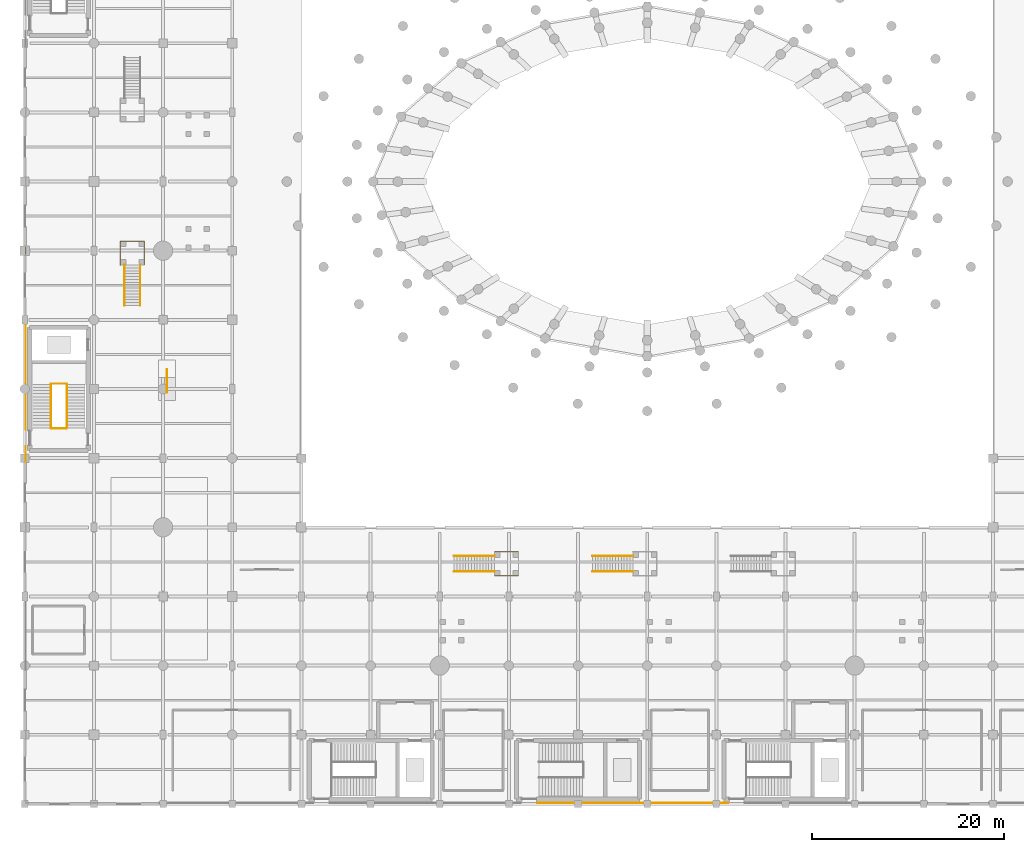
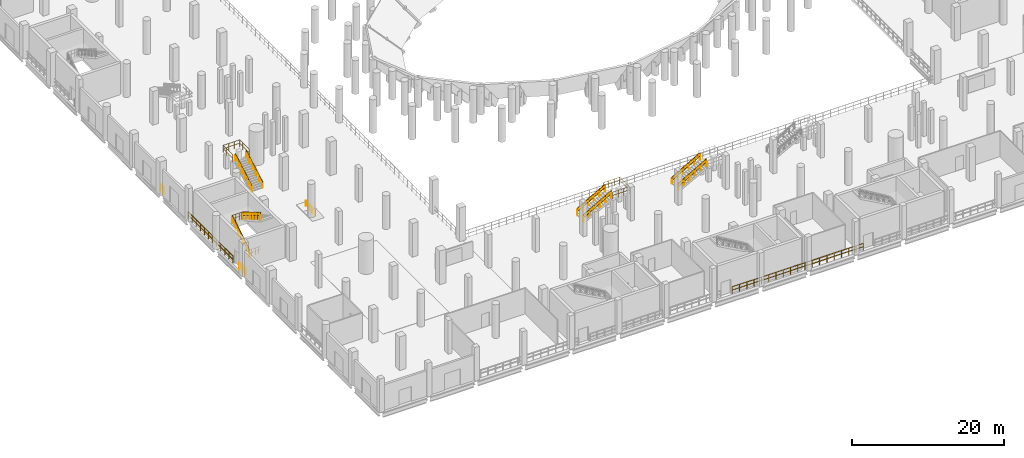
# One storey, part 46 of 58: 25 railings.
"""IFC4 building model written with IfcOpenShell, lengths in metres."""

from ifc_helpers import new_model, si_unit, direction, frame, origin, origin_2d, place, context, subcontext, project, spatial, circle, extrude, material, type_object, element, save


model = new_model("IFC4")

# Units and contexts
model_context = context("Model", 3, precision=1e-05, world=origin(), true_north=direction((0.0, 1.0)))
body_context = subcontext(model_context, "Body", "Model", "MODEL_VIEW")
ifc_project = project(units=[si_unit("LENGTHUNIT", "METRE"), si_unit("AREAUNIT", "SQUARE_METRE"), si_unit("VOLUMEUNIT", "CUBIC_METRE"), si_unit("PLANEANGLEUNIT", "RADIAN"), si_unit("MASSUNIT", "GRAM", prefix="KILO")], contexts=[model_context])

# Site, building, storey
site_placement = place(None, origin())
site = spatial("IfcSite", under=ifc_project, at=site_placement, CompositionType="ELEMENT")
building_placement = place(site_placement, origin())
building = spatial("IfcBuilding", under=site, at=building_placement, Name="Qandorah Velis Arena", CompositionType="ELEMENT")
storey_placement = place(building_placement, origin())
storey = spatial("IfcBuildingStorey", under=building, at=storey_placement, Name="L00", CompositionType="ELEMENT", Elevation=0.0)

# Railings
ifc_material = material(Name="Stainless steel 316", Category="steel")
railing_type_1 = type_object("IfcRailingType", Name="ARC-RL-GRD1150", PredefinedType="GUARDRAIL", material=ifc_material)
for number, where, name in (
    (1, (2.739990234375, 39.110107421875, 0.0), "Stair ST5 landing well-slot guardrail L00"),
    (2, (2.739990234375, 43.74609375, 2.699951171875), "Stair ST5 well guardrail (L00)"),
):
    element("IfcRailing", number, at=place(storey_placement, frame(where)), inside=storey, type_object=railing_type_1, Name=name, PredefinedType="GUARDRAIL", context=body_context, shape_type="SweptSolid", body=[
        extrude(circle(Radius=0.02392578125, at=origin_2d()), frame((0.0, 0.0, 1.1259765625), z_axis=(1.0, 0.0, 0.0), x_axis=(0.0, 1.0, 0.0)), (0.0, 0.0, 1.0), 1.6201171875),
        extrude(circle(Radius=0.02392578125, at=origin_2d()), frame((0.0, 0.0, 0.597900390625), z_axis=(1.0, 0.0, 0.0), x_axis=(0.0, 1.0, 0.0)), (0.0, 0.0, 1.0), 1.6201171875),
        extrude(circle(Radius=0.02099609375, at=origin_2d()), origin(), (0.0, 0.0, 1.0), 1.101806640625),
        extrude(circle(Radius=0.02099609375, at=origin_2d()), frame((0.27001953125, 0.0, 0.0)), (0.0, 0.0, 1.0), 1.101806640625),
        extrude(circle(Radius=0.02099609375, at=origin_2d()), frame((0.5400390625, 0.0, 0.0)), (0.0, 0.0, 1.0), 1.101806640625),
        extrude(circle(Radius=0.02099609375, at=origin_2d()), frame((0.81005859375, 0.0, 0.0)), (0.0, 0.0, 1.0), 1.101806640625),
        extrude(circle(Radius=0.02099609375, at=origin_2d()), frame((1.080078125, 0.0, 0.0)), (0.0, 0.0, 1.0), 1.101806640625),
        extrude(circle(Radius=0.02099609375, at=origin_2d()), frame((1.35009765625, 0.0, 0.0)), (0.0, 0.0, 1.0), 1.101806640625),
        extrude(circle(Radius=0.02099609375, at=origin_2d()), frame((1.6201171875, 0.0, 0.0)), (0.0, 0.0, 1.0), 1.101806640625),
    ])
railing_1_placement = place(storey_placement, frame((2.72998046875, 39.14990234375, 0.0)))
element("IfcRailing", 3, at=railing_1_placement, inside=storey, type_object=railing_type_1, Name="Stair ST5 inner flight 1 guardrail (L00)", PredefinedType="GUARDRAIL", context=body_context, shape_type="SweptSolid", body=[
    extrude(circle(Radius=0.02392578125, at=origin_2d()), frame((0.0, 0.0, 1.1259765625), z_axis=(0.0, 0.859303531718, 0.511465971866), x_axis=(-1.0, 0.0, 0.0)), (0.0, 0.0, 1.0), 5.27880859375),
    extrude(circle(Radius=0.02392578125, at=origin_2d()), frame((0.0, 0.0, 0.597900390625), z_axis=(0.0, 0.859303531718, 0.511465971866), x_axis=(-1.0, 0.0, 0.0)), (0.0, 0.0, 1.0), 5.27880859375),
    extrude(circle(Radius=0.02099609375, at=origin_2d()), origin(), (0.0, 0.0, 1.0), 1.101806640625),
    extrude(circle(Radius=0.02099609375, at=origin_2d()), frame((0.0, 0.756103515625, 0.449951171875)), (0.0, 0.0, 1.0), 1.101806640625),
    extrude(circle(Radius=0.02099609375, at=origin_2d()), frame((0.0, 1.511962890625, 0.89990234375)), (0.0, 0.0, 1.0), 1.101806640625),
    extrude(circle(Radius=0.02099609375, at=origin_2d()), frame((0.0, 2.26806640625, 1.35009765625)), (0.0, 0.0, 1.0), 1.101806640625),
    extrude(circle(Radius=0.02099609375, at=origin_2d()), frame((0.0, 3.024169921875, 1.800048828125)), (0.0, 0.0, 1.0), 1.101806640625),
    extrude(circle(Radius=0.02099609375, at=origin_2d()), frame((0.0, 3.780029296875, 2.25)), (0.0, 0.0, 1.0), 1.101806640625),
    extrude(circle(Radius=0.02099609375, at=origin_2d()), frame((0.0, 4.5361328125, 2.699951171875)), (0.0, 0.0, 1.0), 1.101806640625),
])
railing_2_placement = place(storey_placement, frame((4.3701171875, 43.68603515625, 2.699951171875)))
element("IfcRailing", 4, at=railing_2_placement, inside=storey, type_object=railing_type_1, Name="Stair ST5 inner flight 2 guardrail (L00)", PredefinedType="GUARDRAIL", context=body_context, shape_type="SweptSolid", body=[
    extrude(circle(Radius=0.02392578125, at=origin_2d()), frame((0.0, 0.0, 1.1259765625), z_axis=(0.0, -0.859303531718, 0.511465971866), x_axis=(1.0, 0.0, 0.0)), (0.0, 0.0, 1.0), 5.27880859375),
    extrude(circle(Radius=0.02392578125, at=origin_2d()), frame((0.0, 0.0, 0.597900390625), z_axis=(0.0, -0.859303531718, 0.511465971866), x_axis=(1.0, 0.0, 0.0)), (0.0, 0.0, 1.0), 5.27880859375),
    extrude(circle(Radius=0.02099609375, at=origin_2d()), origin(), (0.0, 0.0, 1.0), 1.101806640625),
    extrude(circle(Radius=0.02099609375, at=origin_2d()), frame((0.0, -0.756103515625, 0.449951171875)), (0.0, 0.0, 1.0), 1.101806640625),
    extrude(circle(Radius=0.02099609375, at=origin_2d()), frame((0.0, -1.511962890625, 0.89990234375)), (0.0, 0.0, 1.0), 1.101806640625),
    extrude(circle(Radius=0.02099609375, at=origin_2d()), frame((0.0, -2.26806640625, 1.35009765625)), (0.0, 0.0, 1.0), 1.101806640625),
    extrude(circle(Radius=0.02099609375, at=origin_2d()), frame((0.0, -3.024169921875, 1.800048828125)), (0.0, 0.0, 1.0), 1.101806640625),
    extrude(circle(Radius=0.02099609375, at=origin_2d()), frame((0.0, -3.780029296875, 2.25)), (0.0, 0.0, 1.0), 1.101806640625),
    extrude(circle(Radius=0.02099609375, at=origin_2d()), frame((0.0, -4.5361328125, 2.699951171875)), (0.0, 0.0, 1.0), 1.101806640625),
])
for number, where, name in (
    (5, (44.699951171875, 25.820068359375, 0.0), "Vomitory VS1 left guard (L00)"),
    (6, (44.699951171875, 24.179931640625, 0.0), "Vomitory VS1 right guard (L00)"),
):
    element("IfcRailing", number, at=place(storey_placement, frame(where)), inside=storey, type_object=railing_type_1, Name=name, PredefinedType="GUARDRAIL", context=body_context, shape_type="SweptSolid", body=[
        extrude(circle(Radius=0.02392578125, at=origin_2d()), frame((0.0, 0.0, 1.1259765625), z_axis=(0.868249353848, 0.0, 0.496128067682), x_axis=(0.0, 1.0, 0.0)), (0.0, 0.0, 1.0), 4.837158203125),
        extrude(circle(Radius=0.02392578125, at=origin_2d()), frame((0.0, 0.0, 0.597900390625), z_axis=(0.868249353848, 0.0, 0.496128067682), x_axis=(0.0, 1.0, 0.0)), (0.0, 0.0, 1.0), 4.837158203125),
        extrude(circle(Radius=0.02099609375, at=origin_2d()), origin(), (0.0, 0.0, 1.0), 1.101806640625),
        extrude(circle(Radius=0.02099609375, at=origin_2d()), frame((0.840087890625, 0.0, 0.47998046875)), (0.0, 0.0, 1.0), 1.101806640625),
        extrude(circle(Radius=0.02099609375, at=origin_2d()), frame((1.679931640625, 0.0, 0.9599609375)), (0.0, 0.0, 1.0), 1.101806640625),
        extrude(circle(Radius=0.02099609375, at=origin_2d()), frame((2.52001953125, 0.0, 1.43994140625)), (0.0, 0.0, 1.0), 1.101806640625),
        extrude(circle(Radius=0.02099609375, at=origin_2d()), frame((3.35986328125, 0.0, 1.919921875)), (0.0, 0.0, 1.0), 1.101806640625),
        extrude(circle(Radius=0.02099609375, at=origin_2d()), frame((4.199951171875, 0.0, 2.39990234375)), (0.0, 0.0, 1.0), 1.101806640625),
    ])
railing_3_placement = place(storey_placement, frame((48.89990234375, 23.75, 2.39990234375)))
element("IfcRailing", 7, at=railing_3_placement, inside=storey, type_object=railing_type_1, Name="Vomitory VS1 landing guardrail (L00)", PredefinedType="GUARDRAIL", context=body_context, shape_type="SweptSolid", body=[
    extrude(circle(Radius=0.02392578125, at=origin_2d()), frame((0.0, 0.0, 1.1259765625), z_axis=(1.0, 0.0, 0.0), x_axis=(0.0, 1.0, 0.0)), (0.0, 0.0, 1.0), 2.5),
    extrude(circle(Radius=0.02392578125, at=origin_2d()), frame((0.0, 0.0, 0.597900390625), z_axis=(1.0, 0.0, 0.0), x_axis=(0.0, 1.0, 0.0)), (0.0, 0.0, 1.0), 2.5),
    extrude(circle(Radius=0.02392578125, at=origin_2d()), frame((2.5, 0.0, 1.1259765625), z_axis=(0.0, 1.0, 0.0), x_axis=(-1.0, 0.0, 0.0)), (0.0, 0.0, 1.0), 2.5),
    extrude(circle(Radius=0.02392578125, at=origin_2d()), frame((2.5, 0.0, 0.597900390625), z_axis=(0.0, 1.0, 0.0), x_axis=(-1.0, 0.0, 0.0)), (0.0, 0.0, 1.0), 2.5),
    extrude(circle(Radius=0.02392578125, at=origin_2d()), frame((2.5, 2.5, 1.1259765625), z_axis=(-1.0, 0.0, 0.0), x_axis=(0.0, -1.0, 0.0)), (0.0, 0.0, 1.0), 2.5),
    extrude(circle(Radius=0.02392578125, at=origin_2d()), frame((2.5, 2.5, 0.597900390625), z_axis=(-1.0, 0.0, 0.0), x_axis=(0.0, -1.0, 0.0)), (0.0, 0.0, 1.0), 2.5),
    extrude(circle(Radius=0.02099609375, at=origin_2d()), origin(), (0.0, 0.0, 1.0), 1.101806640625),
    extrude(circle(Radius=0.02099609375, at=origin_2d()), frame((0.833251953125, 0.0, 0.0)), (0.0, 0.0, 1.0), 1.101806640625),
    extrude(circle(Radius=0.02099609375, at=origin_2d()), frame((1.666748046875, 0.0, 0.0)), (0.0, 0.0, 1.0), 1.101806640625),
    extrude(circle(Radius=0.02099609375, at=origin_2d()), frame((2.5, 0.0, 0.0)), (0.0, 0.0, 1.0), 1.101806640625),
    extrude(circle(Radius=0.02099609375, at=origin_2d()), frame((2.5, 0.833251953125, 0.0)), (0.0, 0.0, 1.0), 1.101806640625),
    extrude(circle(Radius=0.02099609375, at=origin_2d()), frame((2.5, 1.666748046875, 0.0)), (0.0, 0.0, 1.0), 1.101806640625),
    extrude(circle(Radius=0.02099609375, at=origin_2d()), frame((2.5, 2.5, 0.0)), (0.0, 0.0, 1.0), 1.101806640625),
    extrude(circle(Radius=0.02099609375, at=origin_2d()), frame((1.666748046875, 2.5, 0.0)), (0.0, 0.0, 1.0), 1.101806640625),
    extrude(circle(Radius=0.02099609375, at=origin_2d()), frame((0.833251953125, 2.5, 0.0)), (0.0, 0.0, 1.0), 1.101806640625),
    extrude(circle(Radius=0.02099609375, at=origin_2d()), frame((0.0, 2.5, 0.0)), (0.0, 0.0, 1.0), 1.101806640625),
])
for number, where, name in (
    (8, (59.10009765625, 25.820068359375, 0.0), "Vomitory VS2 left guard (L00)"),
    (9, (59.10009765625, 24.179931640625, 0.0), "Vomitory VS2 right guard (L00)"),
):
    element("IfcRailing", number, at=place(storey_placement, frame(where)), inside=storey, type_object=railing_type_1, Name=name, PredefinedType="GUARDRAIL", context=body_context, shape_type="SweptSolid", body=[
        extrude(circle(Radius=0.02392578125, at=origin_2d()), frame((0.0, 0.0, 1.1259765625), z_axis=(0.868249353848, 0.0, 0.496128067682), x_axis=(0.0, 1.0, 0.0)), (0.0, 0.0, 1.0), 4.837158203125),
        extrude(circle(Radius=0.02392578125, at=origin_2d()), frame((0.0, 0.0, 0.597900390625), z_axis=(0.868249353848, 0.0, 0.496128067682), x_axis=(0.0, 1.0, 0.0)), (0.0, 0.0, 1.0), 4.837158203125),
        extrude(circle(Radius=0.02099609375, at=origin_2d()), origin(), (0.0, 0.0, 1.0), 1.101806640625),
        extrude(circle(Radius=0.02099609375, at=origin_2d()), frame((0.840087890625, 0.0, 0.47998046875)), (0.0, 0.0, 1.0), 1.101806640625),
        extrude(circle(Radius=0.02099609375, at=origin_2d()), frame((1.679931640625, 0.0, 0.9599609375)), (0.0, 0.0, 1.0), 1.101806640625),
        extrude(circle(Radius=0.02099609375, at=origin_2d()), frame((2.52001953125, 0.0, 1.43994140625)), (0.0, 0.0, 1.0), 1.101806640625),
        extrude(circle(Radius=0.02099609375, at=origin_2d()), frame((3.35986328125, 0.0, 1.919921875)), (0.0, 0.0, 1.0), 1.101806640625),
        extrude(circle(Radius=0.02099609375, at=origin_2d()), frame((4.199951171875, 0.0, 2.39990234375)), (0.0, 0.0, 1.0), 1.101806640625),
    ])
for number, where, name in (
    (10, (10.3798828125, 51.89990234375, 0.0), "Vomitory VS7 left guard (L00)"),
    (11, (12.02001953125, 51.89990234375, 0.0), "Vomitory VS7 right guard (L00)"),
):
    element("IfcRailing", number, at=place(storey_placement, frame(where)), inside=storey, type_object=railing_type_1, Name=name, PredefinedType="GUARDRAIL", context=body_context, shape_type="SweptSolid", body=[
        extrude(circle(Radius=0.02392578125, at=origin_2d()), frame((0.0, 0.0, 1.1259765625), z_axis=(0.0, 0.868261776072, 0.496106327528), x_axis=(-1.0, 0.0, 0.0)), (0.0, 0.0, 1.0), 4.83740234375),
        extrude(circle(Radius=0.02392578125, at=origin_2d()), frame((0.0, 0.0, 0.597900390625), z_axis=(0.0, 0.868261776072, 0.496106327528), x_axis=(-1.0, 0.0, 0.0)), (0.0, 0.0, 1.0), 4.83740234375),
        extrude(circle(Radius=0.02099609375, at=origin_2d()), origin(), (0.0, 0.0, 1.0), 1.101806640625),
        extrude(circle(Radius=0.02099609375, at=origin_2d()), frame((0.0, 0.840087890625, 0.47998046875)), (0.0, 0.0, 1.0), 1.101806640625),
        extrude(circle(Radius=0.02099609375, at=origin_2d()), frame((0.0, 1.68017578125, 0.9599609375)), (0.0, 0.0, 1.0), 1.101806640625),
        extrude(circle(Radius=0.02099609375, at=origin_2d()), frame((0.0, 2.52001953125, 1.43994140625)), (0.0, 0.0, 1.0), 1.101806640625),
        extrude(circle(Radius=0.02099609375, at=origin_2d()), frame((0.0, 3.360107421875, 1.919921875)), (0.0, 0.0, 1.0), 1.101806640625),
        extrude(circle(Radius=0.02099609375, at=origin_2d()), frame((0.0, 4.2001953125, 2.39990234375)), (0.0, 0.0, 1.0), 1.101806640625),
    ])
railing_4_placement = place(storey_placement, frame((9.949951171875, 56.10009765625, 2.39990234375)))
element("IfcRailing", 12, at=railing_4_placement, inside=storey, type_object=railing_type_1, Name="Vomitory VS7 landing guardrail (L00)", PredefinedType="GUARDRAIL", context=body_context, shape_type="SweptSolid", body=[
    extrude(circle(Radius=0.02392578125, at=origin_2d()), frame((0.0, 0.0, 1.1259765625), z_axis=(0.0, 1.0, 0.0), x_axis=(-1.0, 0.0, 0.0)), (0.0, 0.0, 1.0), 2.5),
    extrude(circle(Radius=0.02392578125, at=origin_2d()), frame((0.0, 0.0, 0.597900390625), z_axis=(0.0, 1.0, 0.0), x_axis=(-1.0, 0.0, 0.0)), (0.0, 0.0, 1.0), 2.5),
    extrude(circle(Radius=0.02392578125, at=origin_2d()), frame((0.0, 2.5, 1.1259765625), z_axis=(1.0, 0.0, 0.0), x_axis=(0.0, 1.0, 0.0)), (0.0, 0.0, 1.0), 2.5),
    extrude(circle(Radius=0.02392578125, at=origin_2d()), frame((0.0, 2.5, 0.597900390625), z_axis=(1.0, 0.0, 0.0), x_axis=(0.0, 1.0, 0.0)), (0.0, 0.0, 1.0), 2.5),
    extrude(circle(Radius=0.02392578125, at=origin_2d()), frame((2.5, 2.5, 1.1259765625), z_axis=(0.0, -1.0, 0.0), x_axis=(1.0, 0.0, 0.0)), (0.0, 0.0, 1.0), 2.5),
    extrude(circle(Radius=0.02392578125, at=origin_2d()), frame((2.5, 2.5, 0.597900390625), z_axis=(0.0, -1.0, 0.0), x_axis=(1.0, 0.0, 0.0)), (0.0, 0.0, 1.0), 2.5),
    extrude(circle(Radius=0.02099609375, at=origin_2d()), origin(), (0.0, 0.0, 1.0), 1.101806640625),
    extrude(circle(Radius=0.02099609375, at=origin_2d()), frame((0.0, 0.833251953125, 0.0)), (0.0, 0.0, 1.0), 1.101806640625),
    extrude(circle(Radius=0.02099609375, at=origin_2d()), frame((0.0, 1.666748046875, 0.0)), (0.0, 0.0, 1.0), 1.101806640625),
    extrude(circle(Radius=0.02099609375, at=origin_2d()), frame((0.0, 2.5, 0.0)), (0.0, 0.0, 1.0), 1.101806640625),
    extrude(circle(Radius=0.02099609375, at=origin_2d()), frame((0.833251953125, 2.5, 0.0)), (0.0, 0.0, 1.0), 1.101806640625),
    extrude(circle(Radius=0.02099609375, at=origin_2d()), frame((1.666748046875, 2.5, 0.0)), (0.0, 0.0, 1.0), 1.101806640625),
    extrude(circle(Radius=0.02099609375, at=origin_2d()), frame((2.5, 2.5, 0.0)), (0.0, 0.0, 1.0), 1.101806640625),
    extrude(circle(Radius=0.02099609375, at=origin_2d()), frame((2.5, 1.666748046875, 0.0)), (0.0, 0.0, 1.0), 1.101806640625),
    extrude(circle(Radius=0.02099609375, at=origin_2d()), frame((2.5, 0.833251953125, 0.0)), (0.0, 0.0, 1.0), 1.101806640625),
    extrude(circle(Radius=0.02099609375, at=origin_2d()), frame((2.5, 0.0, 0.0)), (0.0, 0.0, 1.0), 1.101806640625),
])
railing_5_placement = place(storey_placement, frame((73.22998046875, 0.10009765625, 0.0)))
element("IfcRailing", 13, at=railing_5_placement, inside=storey, type_object=railing_type_1, Name="Slab edge safety guardrail L00-022", PredefinedType="GUARDRAIL", context=body_context, shape_type="SweptSolid", body=[
    extrude(circle(Radius=0.02392578125, at=origin_2d()), frame((0.0, 0.0, 1.1259765625), z_axis=(-1.0, 0.0, 0.0), x_axis=(0.0, -1.0, 0.0)), (0.0, 0.0, 1.0), 19.85986328125),
    extrude(circle(Radius=0.02392578125, at=origin_2d()), frame((0.0, 0.0, 0.597900390625), z_axis=(-1.0, 0.0, 0.0), x_axis=(0.0, -1.0, 0.0)), (0.0, 0.0, 1.0), 19.85986328125),
    extrude(circle(Radius=0.02099609375, at=origin_2d()), origin(), (0.0, 0.0, 1.0), 1.101806640625),
    extrude(circle(Radius=0.02099609375, at=origin_2d()), frame((-1.103271484375, 0.0, 0.0)), (0.0, 0.0, 1.0), 1.101806640625),
    extrude(circle(Radius=0.02099609375, at=origin_2d()), frame((-2.20654296875, 0.0, 0.0)), (0.0, 0.0, 1.0), 1.101806640625),
    extrude(circle(Radius=0.02099609375, at=origin_2d()), frame((-3.31005859375, 0.0, 0.0)), (0.0, 0.0, 1.0), 1.101806640625),
    extrude(circle(Radius=0.02099609375, at=origin_2d()), frame((-4.413330078125, 0.0, 0.0)), (0.0, 0.0, 1.0), 1.101806640625),
    extrude(circle(Radius=0.02099609375, at=origin_2d()), frame((-5.5166015625, 0.0, 0.0)), (0.0, 0.0, 1.0), 1.101806640625),
    extrude(circle(Radius=0.02099609375, at=origin_2d()), frame((-6.619873046875, 0.0, 0.0)), (0.0, 0.0, 1.0), 1.101806640625),
    extrude(circle(Radius=0.02099609375, at=origin_2d()), frame((-7.723388671875, 0.0, 0.0)), (0.0, 0.0, 1.0), 1.101806640625),
    extrude(circle(Radius=0.02099609375, at=origin_2d()), frame((-8.82666015625, 0.0, 0.0)), (0.0, 0.0, 1.0), 1.101806640625),
    extrude(circle(Radius=0.02099609375, at=origin_2d()), frame((-9.929931640625, 0.0, 0.0)), (0.0, 0.0, 1.0), 1.101806640625),
    extrude(circle(Radius=0.02099609375, at=origin_2d()), frame((-11.033203125, 0.0, 0.0)), (0.0, 0.0, 1.0), 1.101806640625),
    extrude(circle(Radius=0.02099609375, at=origin_2d()), frame((-12.136474609375, 0.0, 0.0)), (0.0, 0.0, 1.0), 1.101806640625),
    extrude(circle(Radius=0.02099609375, at=origin_2d()), frame((-13.239990234375, 0.0, 0.0)), (0.0, 0.0, 1.0), 1.101806640625),
    extrude(circle(Radius=0.02099609375, at=origin_2d()), frame((-14.34326171875, 0.0, 0.0)), (0.0, 0.0, 1.0), 1.101806640625),
    extrude(circle(Radius=0.02099609375, at=origin_2d()), frame((-15.446533203125, 0.0, 0.0)), (0.0, 0.0, 1.0), 1.101806640625),
    extrude(circle(Radius=0.02099609375, at=origin_2d()), frame((-16.5498046875, 0.0, 0.0)), (0.0, 0.0, 1.0), 1.101806640625),
    extrude(circle(Radius=0.02099609375, at=origin_2d()), frame((-17.6533203125, 0.0, 0.0)), (0.0, 0.0, 1.0), 1.101806640625),
    extrude(circle(Radius=0.02099609375, at=origin_2d()), frame((-18.756591796875, 0.0, 0.0)), (0.0, 0.0, 1.0), 1.101806640625),
    extrude(circle(Radius=0.02099609375, at=origin_2d()), frame((-19.85986328125, 0.0, 0.0)), (0.0, 0.0, 1.0), 1.101806640625),
])
railing_6_placement = place(storey_placement, frame((0.10009765625, 35.64990234375, 0.0)))
element("IfcRailing", 14, at=railing_6_placement, inside=storey, type_object=railing_type_1, Name="Slab edge safety guardrail L00-030", PredefinedType="GUARDRAIL", context=body_context, shape_type="SweptSolid", body=[
    extrude(circle(Radius=0.02392578125, at=origin_2d()), frame((0.0, 0.0, 1.1259765625), z_axis=(0.0, 1.0, 0.0), x_axis=(-1.0, 0.0, 0.0)), (0.0, 0.0, 1.0), 1.580078125),
    extrude(circle(Radius=0.02392578125, at=origin_2d()), frame((0.0, 0.0, 0.597900390625), z_axis=(0.0, 1.0, 0.0), x_axis=(-1.0, 0.0, 0.0)), (0.0, 0.0, 1.0), 1.580078125),
    extrude(circle(Radius=0.02099609375, at=origin_2d()), origin(), (0.0, 0.0, 1.0), 1.101806640625),
    extrude(circle(Radius=0.02099609375, at=origin_2d()), frame((0.0, 0.7900390625, 0.0)), (0.0, 0.0, 1.0), 1.101806640625),
    extrude(circle(Radius=0.02099609375, at=origin_2d()), frame((0.0, 1.580078125, 0.0)), (0.0, 0.0, 1.0), 1.101806640625),
])
railing_7_placement = place(storey_placement, frame((0.10009765625, 38.969970703125, 0.0)))
element("IfcRailing", 15, at=railing_7_placement, inside=storey, type_object=railing_type_1, Name="Slab edge safety guardrail L00-031", PredefinedType="GUARDRAIL", context=body_context, shape_type="SweptSolid", body=[
    extrude(circle(Radius=0.02392578125, at=origin_2d()), frame((0.0, 0.0, 1.1259765625), z_axis=(0.0, 1.0, 0.0), x_axis=(-1.0, 0.0, 0.0)), (0.0, 0.0, 1.0), 11.780029296875),
    extrude(circle(Radius=0.02392578125, at=origin_2d()), frame((0.0, 0.0, 0.597900390625), z_axis=(0.0, 1.0, 0.0), x_axis=(-1.0, 0.0, 0.0)), (0.0, 0.0, 1.0), 11.780029296875),
    extrude(circle(Radius=0.02099609375, at=origin_2d()), origin(), (0.0, 0.0, 1.0), 1.101806640625),
    extrude(circle(Radius=0.02099609375, at=origin_2d()), frame((0.0, 1.07080078125, 0.0)), (0.0, 0.0, 1.0), 1.101806640625),
    extrude(circle(Radius=0.02099609375, at=origin_2d()), frame((0.0, 2.141845703125, 0.0)), (0.0, 0.0, 1.0), 1.101806640625),
    extrude(circle(Radius=0.02099609375, at=origin_2d()), frame((0.0, 3.212646484375, 0.0)), (0.0, 0.0, 1.0), 1.101806640625),
    extrude(circle(Radius=0.02099609375, at=origin_2d()), frame((0.0, 4.28369140625, 0.0)), (0.0, 0.0, 1.0), 1.101806640625),
    extrude(circle(Radius=0.02099609375, at=origin_2d()), frame((0.0, 5.3544921875, 0.0)), (0.0, 0.0, 1.0), 1.101806640625),
    extrude(circle(Radius=0.02099609375, at=origin_2d()), frame((0.0, 6.425537109375, 0.0)), (0.0, 0.0, 1.0), 1.101806640625),
    extrude(circle(Radius=0.02099609375, at=origin_2d()), frame((0.0, 7.496337890625, 0.0)), (0.0, 0.0, 1.0), 1.101806640625),
    extrude(circle(Radius=0.02099609375, at=origin_2d()), frame((0.0, 8.5673828125, 0.0)), (0.0, 0.0, 1.0), 1.101806640625),
    extrude(circle(Radius=0.02099609375, at=origin_2d()), frame((0.0, 9.63818359375, 0.0)), (0.0, 0.0, 1.0), 1.101806640625),
    extrude(circle(Radius=0.02099609375, at=origin_2d()), frame((0.0, 10.709228515625, 0.0)), (0.0, 0.0, 1.0), 1.101806640625),
    extrude(circle(Radius=0.02099609375, at=origin_2d()), frame((0.0, 11.780029296875, 0.0)), (0.0, 0.0, 1.0), 1.101806640625),
])
railing_8_placement = place(storey_placement, frame((0.10009765625, 57.25, 0.0)))
element("IfcRailing", 16, at=railing_8_placement, inside=storey, type_object=railing_type_1, Name="Slab edge safety guardrail L00-032", PredefinedType="GUARDRAIL", context=body_context, shape_type="SweptSolid", body=[
    extrude(circle(Radius=0.02392578125, at=origin_2d()), frame((0.0, 0.0, 1.1259765625), z_axis=(0.0, 1.0, 0.0), x_axis=(-1.0, 0.0, 0.0)), (0.0, 0.0, 1.0), 0.699951171875),
    extrude(circle(Radius=0.02392578125, at=origin_2d()), frame((0.0, 0.0, 0.597900390625), z_axis=(0.0, 1.0, 0.0), x_axis=(-1.0, 0.0, 0.0)), (0.0, 0.0, 1.0), 0.699951171875),
    extrude(circle(Radius=0.02099609375, at=origin_2d()), origin(), (0.0, 0.0, 1.0), 1.101806640625),
    extrude(circle(Radius=0.02099609375, at=origin_2d()), frame((0.0, 0.699951171875, 0.0)), (0.0, 0.0, 1.0), 1.101806640625),
])
railing_type_2 = type_object("IfcRailingType", Name="ARC-RL-HND920", PredefinedType="HANDRAIL", material=ifc_material)
railing_9_placement = place(storey_placement, frame((2.72998046875, 39.14990234375, 0.0)))
element("IfcRailing", 17, at=railing_9_placement, inside=storey, type_object=railing_type_2, Name="Stair ST5 inner handrail 1 (L00)", PredefinedType="HANDRAIL", context=body_context, shape_type="SweptSolid", body=[
    extrude(circle(Radius=0.02392578125, at=origin_2d()), frame((0.0, 0.0, 0.89599609375), z_axis=(0.0, 0.859303531718, 0.511465971866), x_axis=(-1.0, 0.0, 0.0)), (0.0, 0.0, 1.0), 5.27880859375),
    extrude(circle(Radius=0.02099609375, at=origin_2d()), origin(), (0.0, 0.0, 1.0), 0.871826171875),
    extrude(circle(Radius=0.02099609375, at=origin_2d()), frame((0.0, 0.9072265625, 0.5400390625)), (0.0, 0.0, 1.0), 0.871826171875),
    extrude(circle(Radius=0.02099609375, at=origin_2d()), frame((0.0, 1.814453125, 1.080078125)), (0.0, 0.0, 1.0), 0.871826171875),
    extrude(circle(Radius=0.02099609375, at=origin_2d()), frame((0.0, 2.7216796875, 1.619873046875)), (0.0, 0.0, 1.0), 0.871826171875),
    extrude(circle(Radius=0.02099609375, at=origin_2d()), frame((0.0, 3.62890625, 2.159912109375)), (0.0, 0.0, 1.0), 0.871826171875),
    extrude(circle(Radius=0.02099609375, at=origin_2d()), frame((0.0, 4.5361328125, 2.699951171875)), (0.0, 0.0, 1.0), 0.871826171875),
])
railing_10_placement = place(storey_placement, frame((4.3701171875, 43.68603515625, 2.699951171875)))
element("IfcRailing", 18, at=railing_10_placement, inside=storey, type_object=railing_type_2, Name="Stair ST5 inner handrail 2 (L00)", PredefinedType="HANDRAIL", context=body_context, shape_type="SweptSolid", body=[
    extrude(circle(Radius=0.02392578125, at=origin_2d()), frame((0.0, 0.0, 0.89599609375), z_axis=(0.0, -0.859303531718, 0.511465971866), x_axis=(1.0, 0.0, 0.0)), (0.0, 0.0, 1.0), 5.27880859375),
    extrude(circle(Radius=0.02099609375, at=origin_2d()), origin(), (0.0, 0.0, 1.0), 0.871826171875),
    extrude(circle(Radius=0.02099609375, at=origin_2d()), frame((0.0, -0.9072265625, 0.5400390625)), (0.0, 0.0, 1.0), 0.871826171875),
    extrude(circle(Radius=0.02099609375, at=origin_2d()), frame((0.0, -1.814453125, 1.080078125)), (0.0, 0.0, 1.0), 0.871826171875),
    extrude(circle(Radius=0.02099609375, at=origin_2d()), frame((0.0, -2.7216796875, 1.619873046875)), (0.0, 0.0, 1.0), 0.871826171875),
    extrude(circle(Radius=0.02099609375, at=origin_2d()), frame((0.0, -3.62890625, 2.159912109375)), (0.0, 0.0, 1.0), 0.871826171875),
    extrude(circle(Radius=0.02099609375, at=origin_2d()), frame((0.0, -4.5361328125, 2.699951171875)), (0.0, 0.0, 1.0), 0.871826171875),
])
for number, where, name in (
    (19, (44.699951171875, 25.820068359375, 0.0), "Vomitory VS1 left handrail"),
    (20, (44.699951171875, 24.179931640625, 0.0), "Vomitory VS1 right handrail"),
    (21, (59.10009765625, 25.820068359375, 0.0), "Vomitory VS2 left handrail"),
    (22, (59.10009765625, 24.179931640625, 0.0), "Vomitory VS2 right handrail"),
):
    element("IfcRailing", number, at=place(storey_placement, frame(where)), inside=storey, type_object=railing_type_2, Name=name, PredefinedType="HANDRAIL", context=body_context, shape_type="SweptSolid", body=[
        extrude(circle(Radius=0.02392578125, at=origin_2d()), frame((0.0, 0.0, 0.89599609375), z_axis=(0.868249353848, 0.0, 0.496128067682), x_axis=(0.0, 1.0, 0.0)), (0.0, 0.0, 1.0), 4.837158203125),
        extrude(circle(Radius=0.02099609375, at=origin_2d()), origin(), (0.0, 0.0, 1.0), 0.871826171875),
        extrude(circle(Radius=0.02099609375, at=origin_2d()), frame((0.840087890625, 0.0, 0.47998046875)), (0.0, 0.0, 1.0), 0.871826171875),
        extrude(circle(Radius=0.02099609375, at=origin_2d()), frame((1.679931640625, 0.0, 0.9599609375)), (0.0, 0.0, 1.0), 0.871826171875),
        extrude(circle(Radius=0.02099609375, at=origin_2d()), frame((2.52001953125, 0.0, 1.43994140625)), (0.0, 0.0, 1.0), 0.871826171875),
        extrude(circle(Radius=0.02099609375, at=origin_2d()), frame((3.35986328125, 0.0, 1.919921875)), (0.0, 0.0, 1.0), 0.871826171875),
        extrude(circle(Radius=0.02099609375, at=origin_2d()), frame((4.199951171875, 0.0, 2.39990234375)), (0.0, 0.0, 1.0), 0.871826171875),
    ])
for number, where, name in (
    (23, (10.3798828125, 51.89990234375, 0.0), "Vomitory VS7 left handrail"),
    (24, (12.02001953125, 51.89990234375, 0.0), "Vomitory VS7 right handrail"),
):
    element("IfcRailing", number, at=place(storey_placement, frame(where)), inside=storey, type_object=railing_type_2, Name=name, PredefinedType="HANDRAIL", context=body_context, shape_type="SweptSolid", body=[
        extrude(circle(Radius=0.02392578125, at=origin_2d()), frame((0.0, 0.0, 0.89599609375), z_axis=(0.0, 0.868261776072, 0.496106327528), x_axis=(-1.0, 0.0, 0.0)), (0.0, 0.0, 1.0), 4.83740234375),
        extrude(circle(Radius=0.02099609375, at=origin_2d()), origin(), (0.0, 0.0, 1.0), 0.871826171875),
        extrude(circle(Radius=0.02099609375, at=origin_2d()), frame((0.0, 0.840087890625, 0.47998046875)), (0.0, 0.0, 1.0), 0.871826171875),
        extrude(circle(Radius=0.02099609375, at=origin_2d()), frame((0.0, 1.68017578125, 0.9599609375)), (0.0, 0.0, 1.0), 0.871826171875),
        extrude(circle(Radius=0.02099609375, at=origin_2d()), frame((0.0, 2.52001953125, 1.43994140625)), (0.0, 0.0, 1.0), 0.871826171875),
        extrude(circle(Radius=0.02099609375, at=origin_2d()), frame((0.0, 3.360107421875, 1.919921875)), (0.0, 0.0, 1.0), 0.871826171875),
        extrude(circle(Radius=0.02099609375, at=origin_2d()), frame((0.0, 4.2001953125, 2.39990234375)), (0.0, 0.0, 1.0), 0.871826171875),
    ])
railing_11_placement = place(storey_placement, frame((14.800048828125, 42.85009765625, 0.0)))
element("IfcRailing", 25, at=railing_11_placement, inside=storey, type_object=railing_type_2, Name="Ramp PR2 handrail", PredefinedType="HANDRAIL", context=body_context, shape_type="SweptSolid", body=[
    extrude(circle(Radius=0.02392578125, at=origin_2d()), frame((0.0, 0.0, 0.89599609375), z_axis=(0.0, 0.998054948148, 0.062340359935), x_axis=(-1.0, 0.0, 0.0)), (0.0, 0.0, 1.0), 2.404541015625),
    extrude(circle(Radius=0.02099609375, at=origin_2d()), origin(), (0.0, 0.0, 1.0), 0.871826171875),
    extrude(circle(Radius=0.02099609375, at=origin_2d()), frame((0.0, 0.800048828125, 0.050048828125)), (0.0, 0.0, 1.0), 0.871826171875),
    extrude(circle(Radius=0.02099609375, at=origin_2d()), frame((0.0, 1.599853515625, 0.099853515625)), (0.0, 0.0, 1.0), 0.871826171875),
    extrude(circle(Radius=0.02099609375, at=origin_2d()), frame((0.0, 2.39990234375, 0.14990234375)), (0.0, 0.0, 1.0), 0.871826171875),
])

save(model, "model.ifc")
